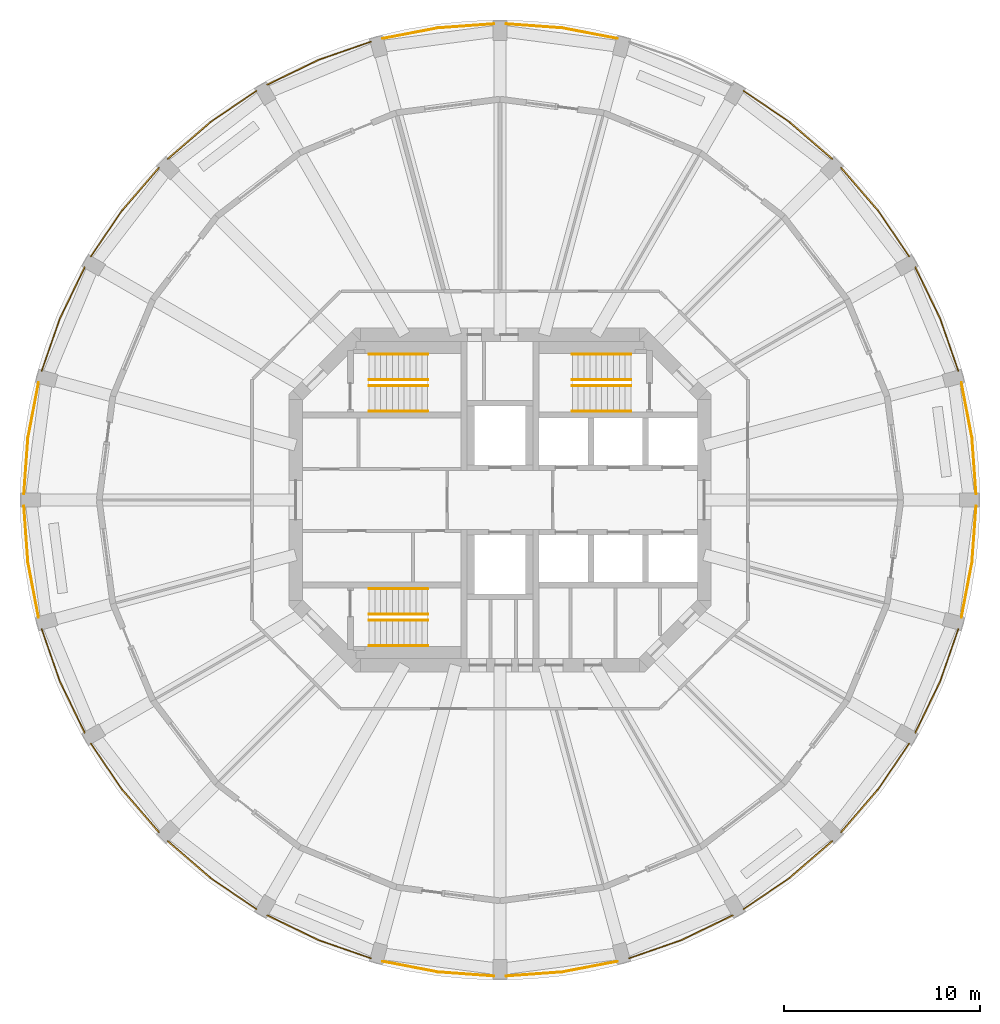
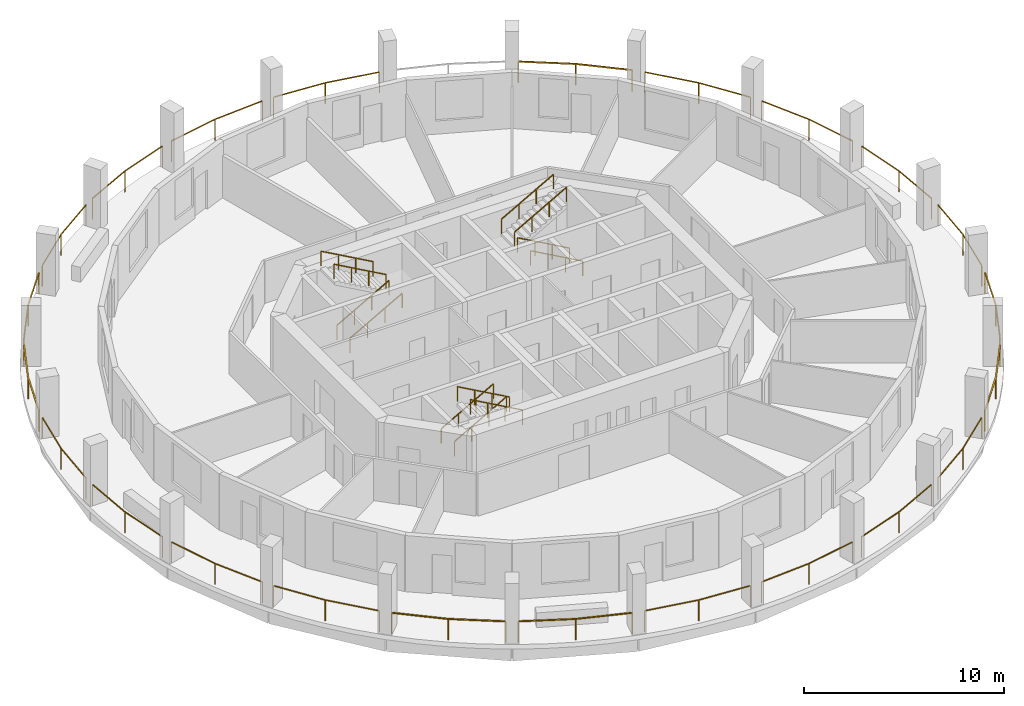
# One storey, part 8 of 9: 35 railings.
"""IFC4 building model written with IfcOpenShell, lengths in metres."""

from ifc_helpers import new_model, si_unit, direction, frame, origin, origin_2d, place, context, subcontext, project, spatial, rectangle, extrude, material, type_object, element, save


model = new_model("IFC4")

# Units and contexts
model_context = context("Model", 3, precision=1e-05, world=origin(), true_north=direction((0.0, 1.0)))
body_context = subcontext(model_context, "Body", "Model", "MODEL_VIEW")
ifc_project = project(units=[si_unit("LENGTHUNIT", "METRE"), si_unit("AREAUNIT", "SQUARE_METRE"), si_unit("VOLUMEUNIT", "CUBIC_METRE"), si_unit("PLANEANGLEUNIT", "RADIAN"), si_unit("MASSUNIT", "GRAM", prefix="KILO")], contexts=[model_context])

# Site, building, storey
site_placement = place(None, origin())
site = spatial("IfcSite", under=ifc_project, at=site_placement, CompositionType="ELEMENT")
building_placement = place(site_placement, origin())
building = spatial("IfcBuilding", under=site, at=building_placement, Name="Torre Triforio", CompositionType="ELEMENT")
storey_placement = place(building_placement, frame((0.0, 0.0, 233.5)))
storey = spatial("IfcBuildingStorey", under=building, at=storey_placement, Name="L53", CompositionType="ELEMENT", Elevation=233.5)

# Railings
ifc_material = material(Name="Stainless steel AISI 316", Category="steel")
railing_type_1 = type_object("IfcRailingType", Name="HANDRAIL 920", PredefinedType="HANDRAIL", material=ifc_material)
for number, where, name in (
    (1, (-6.699951171875, 4.550048828125, 0.168212890625), "Handrail ST1"),
    (2, (-6.699951171875, 5.85009765625, 0.168212890625), "Handrail ST1"),
):
    element("IfcRailing", number, at=place(storey_placement, frame(where)), inside=storey, type_object=railing_type_1, Name=name, PredefinedType="HANDRAIL", context=body_context, shape_type="SweptSolid", body=[
        extrude(rectangle(XDim=0.048095703125, YDim=0.048095703125, at=origin_2d()), frame((0.0, 0.0, 0.89599609375), z_axis=(0.872272294576, 0.0, 0.489020494575), x_axis=(0.0, 1.0, 0.0)), (0.0, 0.0, 1.0), 3.439208984375),
        extrude(rectangle(XDim=0.0419921875, YDim=0.0419921875, at=origin_2d()), origin(), (0.0, 0.0, 1.0), 0.871826171875),
        extrude(rectangle(XDim=0.0419921875, YDim=0.0419921875, at=origin_2d()), frame((1.0, 0.0, 0.560546875)), (0.0, 0.0, 1.0), 0.871826171875),
        extrude(rectangle(XDim=0.0419921875, YDim=0.0419921875, at=origin_2d()), frame((2.0, 0.0, 1.121337890625)), (0.0, 0.0, 1.0), 0.871826171875),
        extrude(rectangle(XDim=0.0419921875, YDim=0.0419921875, at=origin_2d()), frame((3.0, 0.0, 1.681884765625)), (0.0, 0.0, 1.0), 0.871826171875),
    ])
for number, where, name in (
    (3, (-3.699951171875, 7.449951171875, 2.01806640625), "Handrail ST1"),
    (4, (-3.699951171875, 6.14990234375, 2.01806640625), "Handrail ST1"),
    (5, (6.699951171875, 4.550048828125, 0.168212890625), "Handrail ST2"),
    (6, (6.699951171875, 5.85009765625, 0.168212890625), "Handrail ST2"),
):
    element("IfcRailing", number, at=place(storey_placement, frame(where)), inside=storey, type_object=railing_type_1, Name=name, PredefinedType="HANDRAIL", context=body_context, shape_type="SweptSolid", body=[
        extrude(rectangle(XDim=0.048095703125, YDim=0.048095703125, at=origin_2d()), frame((0.0, 0.0, 0.89599609375), z_axis=(-0.872272294576, 0.0, 0.489020494575), x_axis=(0.0, -1.0, 0.0)), (0.0, 0.0, 1.0), 3.439208984375),
        extrude(rectangle(XDim=0.0419921875, YDim=0.0419921875, at=origin_2d()), origin(), (0.0, 0.0, 1.0), 0.871826171875),
        extrude(rectangle(XDim=0.0419921875, YDim=0.0419921875, at=origin_2d()), frame((-1.0, 0.0, 0.560546875)), (0.0, 0.0, 1.0), 0.871826171875),
        extrude(rectangle(XDim=0.0419921875, YDim=0.0419921875, at=origin_2d()), frame((-2.0, 0.0, 1.121337890625)), (0.0, 0.0, 1.0), 0.871826171875),
        extrude(rectangle(XDim=0.0419921875, YDim=0.0419921875, at=origin_2d()), frame((-3.0, 0.0, 1.681884765625)), (0.0, 0.0, 1.0), 0.871826171875),
    ])
for number, where, name in (
    (7, (3.699951171875, 7.449951171875, 2.01806640625), "Handrail ST2"),
    (8, (3.699951171875, 6.14990234375, 2.01806640625), "Handrail ST2"),
    (9, (-6.699951171875, -4.550048828125, 0.168212890625), "Handrail ST3"),
    (10, (-6.699951171875, -5.85009765625, 0.168212890625), "Handrail ST3"),
):
    element("IfcRailing", number, at=place(storey_placement, frame(where)), inside=storey, type_object=railing_type_1, Name=name, PredefinedType="HANDRAIL", context=body_context, shape_type="SweptSolid", body=[
        extrude(rectangle(XDim=0.048095703125, YDim=0.048095703125, at=origin_2d()), frame((0.0, 0.0, 0.89599609375), z_axis=(0.872272294576, 0.0, 0.489020494575), x_axis=(0.0, 1.0, 0.0)), (0.0, 0.0, 1.0), 3.439208984375),
        extrude(rectangle(XDim=0.0419921875, YDim=0.0419921875, at=origin_2d()), origin(), (0.0, 0.0, 1.0), 0.871826171875),
        extrude(rectangle(XDim=0.0419921875, YDim=0.0419921875, at=origin_2d()), frame((1.0, 0.0, 0.560546875)), (0.0, 0.0, 1.0), 0.871826171875),
        extrude(rectangle(XDim=0.0419921875, YDim=0.0419921875, at=origin_2d()), frame((2.0, 0.0, 1.121337890625)), (0.0, 0.0, 1.0), 0.871826171875),
        extrude(rectangle(XDim=0.0419921875, YDim=0.0419921875, at=origin_2d()), frame((3.0, 0.0, 1.681884765625)), (0.0, 0.0, 1.0), 0.871826171875),
    ])
for number, where, name in (
    (11, (-3.699951171875, -7.449951171875, 2.01806640625), "Handrail ST3"),
    (12, (-3.699951171875, -6.14990234375, 2.01806640625), "Handrail ST3"),
):
    element("IfcRailing", number, at=place(storey_placement, frame(where)), inside=storey, type_object=railing_type_1, Name=name, PredefinedType="HANDRAIL", context=body_context, shape_type="SweptSolid", body=[
        extrude(rectangle(XDim=0.048095703125, YDim=0.048095703125, at=origin_2d()), frame((0.0, 0.0, 0.89599609375), z_axis=(-0.872272294576, 0.0, 0.489020494575), x_axis=(0.0, -1.0, 0.0)), (0.0, 0.0, 1.0), 3.439208984375),
        extrude(rectangle(XDim=0.0419921875, YDim=0.0419921875, at=origin_2d()), origin(), (0.0, 0.0, 1.0), 0.871826171875),
        extrude(rectangle(XDim=0.0419921875, YDim=0.0419921875, at=origin_2d()), frame((-1.0, 0.0, 0.560546875)), (0.0, 0.0, 1.0), 0.871826171875),
        extrude(rectangle(XDim=0.0419921875, YDim=0.0419921875, at=origin_2d()), frame((-2.0, 0.0, 1.121337890625)), (0.0, 0.0, 1.0), 0.871826171875),
        extrude(rectangle(XDim=0.0419921875, YDim=0.0419921875, at=origin_2d()), frame((-3.0, 0.0, 1.681884765625)), (0.0, 0.0, 1.0), 0.871826171875),
    ])
railing_type_2 = type_object("IfcRailingType", Name="Loggia guard 1300", PredefinedType="GUARDRAIL", material=ifc_material)
railing_1_placement = place(storey_placement, frame((24.35009765625, 0.320068359375, 0.0)))
element("IfcRailing", 13, at=railing_1_placement, inside=storey, type_object=railing_type_2, Name="Loggia guard L53 bay 01", PredefinedType="GUARDRAIL", context=body_context, shape_type="SweptSolid", body=[
    extrude(rectangle(XDim=0.050048828125, YDim=0.050048828125, at=origin_2d()), frame((0.0, 0.0, 1.27490234375), z_axis=(-0.072754488601, 0.997349880628, 0.0), x_axis=(-0.997349880628, -0.072754488601, 0.0)), (0.0, 0.0, 1.0), 2.86572265625),
    extrude(rectangle(XDim=0.050048828125, YDim=0.050048828125, at=origin_2d()), frame((-0.20849609375, 2.858154296875, 1.27490234375), z_axis=(-0.187918414449, 0.982184641252, 0.0), x_axis=(-0.982184641252, -0.187918414449, 0.0)), (0.0, 0.0, 1.0), 2.865966796875),
    extrude(rectangle(XDim=0.0400390625, YDim=0.0400390625, at=origin_2d()), origin(), (0.0, 0.0, 1.0), 1.25),
    extrude(rectangle(XDim=0.0400390625, YDim=0.0400390625, at=origin_2d()), frame((-0.20849609375, 2.858154296875, 0.0)), (0.0, 0.0, 1.0), 1.25),
    extrude(rectangle(XDim=0.0400390625, YDim=0.0400390625, at=origin_2d()), frame((-0.7470703125, 5.673095703125, 0.0)), (0.0, 0.0, 1.0), 1.25),
])
railing_2_placement = place(storey_placement, frame((23.4375, 6.611328125, 0.0)))
element("IfcRailing", 14, at=railing_2_placement, inside=storey, type_object=railing_type_2, Name="Loggia guard L53 bay 02", PredefinedType="GUARDRAIL", context=body_context, shape_type="SweptSolid", body=[
    extrude(rectangle(XDim=0.050048828125, YDim=0.050048828125, at=origin_2d()), frame((0.0, 0.0, 1.27490234375), z_axis=(-0.328315763022, 0.944568028123, 0.0), x_axis=(-0.944568028123, -0.328315763022, 0.0)), (0.0, 0.0, 1.0), 2.865966796875),
    extrude(rectangle(XDim=0.050048828125, YDim=0.050048828125, at=origin_2d()), frame((-0.94091796875, 2.70703125, 1.27490234375), z_axis=(-0.435727917358, 0.900078431046, 0.0), x_axis=(-0.900078431046, -0.435727917358, 0.0)), (0.0, 0.0, 1.0), 2.865966796875),
    extrude(rectangle(XDim=0.0400390625, YDim=0.0400390625, at=origin_2d()), origin(), (0.0, 0.0, 1.0), 1.25),
    extrude(rectangle(XDim=0.0400390625, YDim=0.0400390625, at=origin_2d()), frame((-0.94091796875, 2.70703125, 0.0)), (0.0, 0.0, 1.0), 1.25),
    extrude(rectangle(XDim=0.0400390625, YDim=0.0400390625, at=origin_2d()), frame((-2.189697265625, 5.28662109375, 0.0)), (0.0, 0.0, 1.0), 1.25),
])
railing_3_placement = place(storey_placement, frame((20.927734375, 12.4521484375, 0.0)))
element("IfcRailing", 15, at=railing_3_placement, inside=storey, type_object=railing_type_2, Name="Loggia guard L53 bay 03", PredefinedType="GUARDRAIL", context=body_context, shape_type="SweptSolid", body=[
    extrude(rectangle(XDim=0.050048828125, YDim=0.050048828125, at=origin_2d()), frame((0.0, 0.0, 1.27490234375), z_axis=(-0.561659735558, 0.827368322727, 0.0), x_axis=(-0.827368322727, -0.561659735558, 0.0)), (0.0, 0.0, 1.0), 2.86572265625),
    extrude(rectangle(XDim=0.050048828125, YDim=0.050048828125, at=origin_2d()), frame((-1.609619140625, 2.37109375, 1.27490234375), z_axis=(-0.653823896404, 0.756646755422, 0.0), x_axis=(-0.756646755422, -0.653823896404, 0.0)), (0.0, 0.0, 1.0), 2.865966796875),
    extrude(rectangle(XDim=0.0400390625, YDim=0.0400390625, at=origin_2d()), origin(), (0.0, 0.0, 1.0), 1.25),
    extrude(rectangle(XDim=0.0400390625, YDim=0.0400390625, at=origin_2d()), frame((-1.609619140625, 2.37109375, 0.0)), (0.0, 0.0, 1.0), 1.25),
    extrude(rectangle(XDim=0.0400390625, YDim=0.0400390625, at=origin_2d()), frame((-3.4833984375, 4.53955078125, 0.0)), (0.0, 0.0, 1.0), 1.25),
])
railing_4_placement = place(storey_placement, frame((16.99169921875, 17.4443359375, 0.0)))
element("IfcRailing", 16, at=railing_4_placement, inside=storey, type_object=railing_type_2, Name="Loggia guard L53 bay 04", PredefinedType="GUARDRAIL", context=body_context, shape_type="SweptSolid", body=[
    extrude(rectangle(XDim=0.050048828125, YDim=0.050048828125, at=origin_2d()), frame((0.0, 0.0, 1.27490234375), z_axis=(-0.756646755422, 0.653823896404, 0.0), x_axis=(-0.653823896404, -0.756646755422, 0.0)), (0.0, 0.0, 1.0), 2.865966796875),
    extrude(rectangle(XDim=0.050048828125, YDim=0.050048828125, at=origin_2d()), frame((-2.16845703125, 1.873779296875, 1.27490234375), z_axis=(-0.827368322727, 0.561659735558, 0.0), x_axis=(-0.561659735558, -0.827368322727, 0.0)), (0.0, 0.0, 1.0), 2.86572265625),
    extrude(rectangle(XDim=0.0400390625, YDim=0.0400390625, at=origin_2d()), origin(), (0.0, 0.0, 1.0), 1.25),
    extrude(rectangle(XDim=0.0400390625, YDim=0.0400390625, at=origin_2d()), frame((-2.16845703125, 1.873779296875, 0.0)), (0.0, 0.0, 1.0), 1.25),
    extrude(rectangle(XDim=0.0400390625, YDim=0.0400390625, at=origin_2d()), frame((-4.53955078125, 3.4833984375, 0.0)), (0.0, 0.0, 1.0), 1.25),
])
railing_5_placement = place(storey_placement, frame((5.9931640625, 23.60302734375, 0.0)))
element("IfcRailing", 17, at=railing_5_placement, inside=storey, type_object=railing_type_2, Name="Loggia guard L53 bay 06", PredefinedType="GUARDRAIL", context=body_context, shape_type="SweptSolid", body=[
    extrude(rectangle(XDim=0.050048828125, YDim=0.050048828125, at=origin_2d()), frame((0.0, 0.0, 1.27490234375), z_axis=(-0.982184641252, 0.187918414449, 0.0), x_axis=(-0.187918414449, -0.982184641252, 0.0)), (0.0, 0.0, 1.0), 2.865966796875),
    extrude(rectangle(XDim=0.050048828125, YDim=0.050048828125, at=origin_2d()), frame((-2.81494140625, 0.53857421875, 1.27490234375), z_axis=(-0.997349880628, 0.072754488601, 0.0), x_axis=(-0.072754488601, -0.997349880628, 0.0)), (0.0, 0.0, 1.0), 2.86572265625),
    extrude(rectangle(XDim=0.0400390625, YDim=0.0400390625, at=origin_2d()), origin(), (0.0, 0.0, 1.0), 1.25),
    extrude(rectangle(XDim=0.0400390625, YDim=0.0400390625, at=origin_2d()), frame((-2.81494140625, 0.53857421875, 0.0)), (0.0, 0.0, 1.0), 1.25),
    extrude(rectangle(XDim=0.0400390625, YDim=0.0400390625, at=origin_2d()), frame((-5.673095703125, 0.7470703125, 0.0)), (0.0, 0.0, 1.0), 1.25),
])
railing_6_placement = place(storey_placement, frame((-0.320068359375, 24.35009765625, 0.0)))
element("IfcRailing", 18, at=railing_6_placement, inside=storey, type_object=railing_type_2, Name="Loggia guard L53 bay 07", PredefinedType="GUARDRAIL", context=body_context, shape_type="SweptSolid", body=[
    extrude(rectangle(XDim=0.050048828125, YDim=0.050048828125, at=origin_2d()), frame((0.0, 0.0, 1.27490234375), z_axis=(-0.997349880628, -0.072754488601, 0.0), x_axis=(0.072754488601, -0.997349880628, 0.0)), (0.0, 0.0, 1.0), 2.86572265625),
    extrude(rectangle(XDim=0.050048828125, YDim=0.050048828125, at=origin_2d()), frame((-2.858154296875, -0.20849609375, 1.27490234375), z_axis=(-0.982184641252, -0.187918414449, 0.0), x_axis=(0.187918414449, -0.982184641252, 0.0)), (0.0, 0.0, 1.0), 2.865966796875),
    extrude(rectangle(XDim=0.0400390625, YDim=0.0400390625, at=origin_2d()), origin(), (0.0, 0.0, 1.0), 1.25),
    extrude(rectangle(XDim=0.0400390625, YDim=0.0400390625, at=origin_2d()), frame((-2.858154296875, -0.20849609375, 0.0)), (0.0, 0.0, 1.0), 1.25),
    extrude(rectangle(XDim=0.0400390625, YDim=0.0400390625, at=origin_2d()), frame((-5.673095703125, -0.7470703125, 0.0)), (0.0, 0.0, 1.0), 1.25),
])
railing_7_placement = place(storey_placement, frame((-6.611328125, 23.4375, 0.0)))
element("IfcRailing", 19, at=railing_7_placement, inside=storey, type_object=railing_type_2, Name="Loggia guard L53 bay 08", PredefinedType="GUARDRAIL", context=body_context, shape_type="SweptSolid", body=[
    extrude(rectangle(XDim=0.050048828125, YDim=0.050048828125, at=origin_2d()), frame((0.0, 0.0, 1.27490234375), z_axis=(-0.944568028123, -0.328315763022, 0.0), x_axis=(0.328315763022, -0.944568028123, 0.0)), (0.0, 0.0, 1.0), 2.865966796875),
    extrude(rectangle(XDim=0.050048828125, YDim=0.050048828125, at=origin_2d()), frame((-2.70703125, -0.94091796875, 1.27490234375), z_axis=(-0.900078431046, -0.435727917358, 0.0), x_axis=(0.435727917358, -0.900078431046, 0.0)), (0.0, 0.0, 1.0), 2.865966796875),
    extrude(rectangle(XDim=0.0400390625, YDim=0.0400390625, at=origin_2d()), origin(), (0.0, 0.0, 1.0), 1.25),
    extrude(rectangle(XDim=0.0400390625, YDim=0.0400390625, at=origin_2d()), frame((-2.70703125, -0.94091796875, 0.0)), (0.0, 0.0, 1.0), 1.25),
    extrude(rectangle(XDim=0.0400390625, YDim=0.0400390625, at=origin_2d()), frame((-5.28662109375, -2.189697265625, 0.0)), (0.0, 0.0, 1.0), 1.25),
])
railing_8_placement = place(storey_placement, frame((-12.4521484375, 20.927734375, 0.0)))
element("IfcRailing", 20, at=railing_8_placement, inside=storey, type_object=railing_type_2, Name="Loggia guard L53 bay 09", PredefinedType="GUARDRAIL", context=body_context, shape_type="SweptSolid", body=[
    extrude(rectangle(XDim=0.050048828125, YDim=0.050048828125, at=origin_2d()), frame((0.0, 0.0, 1.27490234375), z_axis=(-0.827368322727, -0.561659735558, 0.0), x_axis=(0.561659735558, -0.827368322727, 0.0)), (0.0, 0.0, 1.0), 2.86572265625),
    extrude(rectangle(XDim=0.050048828125, YDim=0.050048828125, at=origin_2d()), frame((-2.37109375, -1.609619140625, 1.27490234375), z_axis=(-0.756646755422, -0.653823896404, 0.0), x_axis=(0.653823896404, -0.756646755422, 0.0)), (0.0, 0.0, 1.0), 2.865966796875),
    extrude(rectangle(XDim=0.0400390625, YDim=0.0400390625, at=origin_2d()), origin(), (0.0, 0.0, 1.0), 1.25),
    extrude(rectangle(XDim=0.0400390625, YDim=0.0400390625, at=origin_2d()), frame((-2.37109375, -1.609619140625, 0.0)), (0.0, 0.0, 1.0), 1.25),
    extrude(rectangle(XDim=0.0400390625, YDim=0.0400390625, at=origin_2d()), frame((-4.53955078125, -3.4833984375, 0.0)), (0.0, 0.0, 1.0), 1.25),
])
railing_9_placement = place(storey_placement, frame((-17.4443359375, 16.99169921875, 0.0)))
element("IfcRailing", 21, at=railing_9_placement, inside=storey, type_object=railing_type_2, Name="Loggia guard L53 bay 10", PredefinedType="GUARDRAIL", context=body_context, shape_type="SweptSolid", body=[
    extrude(rectangle(XDim=0.050048828125, YDim=0.050048828125, at=origin_2d()), frame((0.0, 0.0, 1.27490234375), z_axis=(-0.653823896404, -0.756646755422, 0.0), x_axis=(0.756646755422, -0.653823896404, 0.0)), (0.0, 0.0, 1.0), 2.865966796875),
    extrude(rectangle(XDim=0.050048828125, YDim=0.050048828125, at=origin_2d()), frame((-1.873779296875, -2.16845703125, 1.27490234375), z_axis=(-0.561659735558, -0.827368322727, 0.0), x_axis=(0.827368322727, -0.561659735558, 0.0)), (0.0, 0.0, 1.0), 2.86572265625),
    extrude(rectangle(XDim=0.0400390625, YDim=0.0400390625, at=origin_2d()), origin(), (0.0, 0.0, 1.0), 1.25),
    extrude(rectangle(XDim=0.0400390625, YDim=0.0400390625, at=origin_2d()), frame((-1.873779296875, -2.16845703125, 0.0)), (0.0, 0.0, 1.0), 1.25),
    extrude(rectangle(XDim=0.0400390625, YDim=0.0400390625, at=origin_2d()), frame((-3.4833984375, -4.53955078125, 0.0)), (0.0, 0.0, 1.0), 1.25),
])
railing_10_placement = place(storey_placement, frame((-21.247802734375, 11.89794921875, 0.0)))
element("IfcRailing", 22, at=railing_10_placement, inside=storey, type_object=railing_type_2, Name="Loggia guard L53 bay 11", PredefinedType="GUARDRAIL", context=body_context, shape_type="SweptSolid", body=[
    extrude(rectangle(XDim=0.050048828125, YDim=0.050048828125, at=origin_2d()), frame((0.0, 0.0, 1.27490234375), z_axis=(-0.435727917358, -0.900078431046, 0.0), x_axis=(0.900078431046, -0.435727917358, 0.0)), (0.0, 0.0, 1.0), 2.865966796875),
    extrude(rectangle(XDim=0.050048828125, YDim=0.050048828125, at=origin_2d()), frame((-1.248779296875, -2.57958984375, 1.27490234375), z_axis=(-0.328315763022, -0.944568028123, 0.0), x_axis=(0.944568028123, -0.328315763022, 0.0)), (0.0, 0.0, 1.0), 2.865966796875),
    extrude(rectangle(XDim=0.0400390625, YDim=0.0400390625, at=origin_2d()), origin(), (0.0, 0.0, 1.0), 1.25),
    extrude(rectangle(XDim=0.0400390625, YDim=0.0400390625, at=origin_2d()), frame((-1.248779296875, -2.57958984375, 0.0)), (0.0, 0.0, 1.0), 1.25),
    extrude(rectangle(XDim=0.0400390625, YDim=0.0400390625, at=origin_2d()), frame((-2.189697265625, -5.28662109375, 0.0)), (0.0, 0.0, 1.0), 1.25),
])
railing_11_placement = place(storey_placement, frame((-23.60302734375, 5.9931640625, 0.0)))
element("IfcRailing", 23, at=railing_11_placement, inside=storey, type_object=railing_type_2, Name="Loggia guard L53 bay 12", PredefinedType="GUARDRAIL", context=body_context, shape_type="SweptSolid", body=[
    extrude(rectangle(XDim=0.050048828125, YDim=0.050048828125, at=origin_2d()), frame((0.0, 0.0, 1.27490234375), z_axis=(-0.187918414449, -0.982184641252, 0.0), x_axis=(0.982184641252, -0.187918414449, 0.0)), (0.0, 0.0, 1.0), 2.865966796875),
    extrude(rectangle(XDim=0.050048828125, YDim=0.050048828125, at=origin_2d()), frame((-0.53857421875, -2.81494140625, 1.27490234375), z_axis=(-0.072754488601, -0.997349880628, 0.0), x_axis=(0.997349880628, -0.072754488601, 0.0)), (0.0, 0.0, 1.0), 2.86572265625),
    extrude(rectangle(XDim=0.0400390625, YDim=0.0400390625, at=origin_2d()), origin(), (0.0, 0.0, 1.0), 1.25),
    extrude(rectangle(XDim=0.0400390625, YDim=0.0400390625, at=origin_2d()), frame((-0.53857421875, -2.81494140625, 0.0)), (0.0, 0.0, 1.0), 1.25),
    extrude(rectangle(XDim=0.0400390625, YDim=0.0400390625, at=origin_2d()), frame((-0.7470703125, -5.673095703125, 0.0)), (0.0, 0.0, 1.0), 1.25),
])
railing_12_placement = place(storey_placement, frame((-24.35009765625, -0.320068359375, 0.0)))
element("IfcRailing", 24, at=railing_12_placement, inside=storey, type_object=railing_type_2, Name="Loggia guard L53 bay 13", PredefinedType="GUARDRAIL", context=body_context, shape_type="SweptSolid", body=[
    extrude(rectangle(XDim=0.050048828125, YDim=0.050048828125, at=origin_2d()), frame((0.0, 0.0, 1.27490234375), z_axis=(0.072754488601, -0.997349880628, 0.0), x_axis=(0.997349880628, 0.072754488601, 0.0)), (0.0, 0.0, 1.0), 2.86572265625),
    extrude(rectangle(XDim=0.050048828125, YDim=0.050048828125, at=origin_2d()), frame((0.20849609375, -2.858154296875, 1.27490234375), z_axis=(0.187918414449, -0.982184641252, 0.0), x_axis=(0.982184641252, 0.187918414449, 0.0)), (0.0, 0.0, 1.0), 2.865966796875),
    extrude(rectangle(XDim=0.0400390625, YDim=0.0400390625, at=origin_2d()), origin(), (0.0, 0.0, 1.0), 1.25),
    extrude(rectangle(XDim=0.0400390625, YDim=0.0400390625, at=origin_2d()), frame((0.20849609375, -2.858154296875, 0.0)), (0.0, 0.0, 1.0), 1.25),
    extrude(rectangle(XDim=0.0400390625, YDim=0.0400390625, at=origin_2d()), frame((0.7470703125, -5.673095703125, 0.0)), (0.0, 0.0, 1.0), 1.25),
])
railing_13_placement = place(storey_placement, frame((-23.4375, -6.611328125, 0.0)))
element("IfcRailing", 25, at=railing_13_placement, inside=storey, type_object=railing_type_2, Name="Loggia guard L53 bay 14", PredefinedType="GUARDRAIL", context=body_context, shape_type="SweptSolid", body=[
    extrude(rectangle(XDim=0.050048828125, YDim=0.050048828125, at=origin_2d()), frame((0.0, 0.0, 1.27490234375), z_axis=(0.328315763022, -0.944568028123, 0.0), x_axis=(0.944568028123, 0.328315763022, 0.0)), (0.0, 0.0, 1.0), 2.865966796875),
    extrude(rectangle(XDim=0.050048828125, YDim=0.050048828125, at=origin_2d()), frame((0.94091796875, -2.70703125, 1.27490234375), z_axis=(0.435727917358, -0.900078431046, 0.0), x_axis=(0.900078431046, 0.435727917358, 0.0)), (0.0, 0.0, 1.0), 2.865966796875),
    extrude(rectangle(XDim=0.0400390625, YDim=0.0400390625, at=origin_2d()), origin(), (0.0, 0.0, 1.0), 1.25),
    extrude(rectangle(XDim=0.0400390625, YDim=0.0400390625, at=origin_2d()), frame((0.94091796875, -2.70703125, 0.0)), (0.0, 0.0, 1.0), 1.25),
    extrude(rectangle(XDim=0.0400390625, YDim=0.0400390625, at=origin_2d()), frame((2.189697265625, -5.28662109375, 0.0)), (0.0, 0.0, 1.0), 1.25),
])
railing_14_placement = place(storey_placement, frame((-20.927734375, -12.4521484375, 0.0)))
element("IfcRailing", 26, at=railing_14_placement, inside=storey, type_object=railing_type_2, Name="Loggia guard L53 bay 15", PredefinedType="GUARDRAIL", context=body_context, shape_type="SweptSolid", body=[
    extrude(rectangle(XDim=0.050048828125, YDim=0.050048828125, at=origin_2d()), frame((0.0, 0.0, 1.27490234375), z_axis=(0.561659735558, -0.827368322727, 0.0), x_axis=(0.827368322727, 0.561659735558, 0.0)), (0.0, 0.0, 1.0), 2.86572265625),
    extrude(rectangle(XDim=0.050048828125, YDim=0.050048828125, at=origin_2d()), frame((1.609619140625, -2.37109375, 1.27490234375), z_axis=(0.653823896404, -0.756646755422, 0.0), x_axis=(0.756646755422, 0.653823896404, 0.0)), (0.0, 0.0, 1.0), 2.865966796875),
    extrude(rectangle(XDim=0.0400390625, YDim=0.0400390625, at=origin_2d()), origin(), (0.0, 0.0, 1.0), 1.25),
    extrude(rectangle(XDim=0.0400390625, YDim=0.0400390625, at=origin_2d()), frame((1.609619140625, -2.37109375, 0.0)), (0.0, 0.0, 1.0), 1.25),
    extrude(rectangle(XDim=0.0400390625, YDim=0.0400390625, at=origin_2d()), frame((3.4833984375, -4.53955078125, 0.0)), (0.0, 0.0, 1.0), 1.25),
])
railing_15_placement = place(storey_placement, frame((-16.99169921875, -17.4443359375, 0.0)))
element("IfcRailing", 27, at=railing_15_placement, inside=storey, type_object=railing_type_2, Name="Loggia guard L53 bay 16", PredefinedType="GUARDRAIL", context=body_context, shape_type="SweptSolid", body=[
    extrude(rectangle(XDim=0.050048828125, YDim=0.050048828125, at=origin_2d()), frame((0.0, 0.0, 1.27490234375), z_axis=(0.756646755422, -0.653823896404, 0.0), x_axis=(0.653823896404, 0.756646755422, 0.0)), (0.0, 0.0, 1.0), 2.865966796875),
    extrude(rectangle(XDim=0.050048828125, YDim=0.050048828125, at=origin_2d()), frame((2.16845703125, -1.873779296875, 1.27490234375), z_axis=(0.827368322727, -0.561659735558, 0.0), x_axis=(0.561659735558, 0.827368322727, 0.0)), (0.0, 0.0, 1.0), 2.86572265625),
    extrude(rectangle(XDim=0.0400390625, YDim=0.0400390625, at=origin_2d()), origin(), (0.0, 0.0, 1.0), 1.25),
    extrude(rectangle(XDim=0.0400390625, YDim=0.0400390625, at=origin_2d()), frame((2.16845703125, -1.873779296875, 0.0)), (0.0, 0.0, 1.0), 1.25),
    extrude(rectangle(XDim=0.0400390625, YDim=0.0400390625, at=origin_2d()), frame((4.53955078125, -3.4833984375, 0.0)), (0.0, 0.0, 1.0), 1.25),
])
railing_16_placement = place(storey_placement, frame((-11.89794921875, -21.247802734375, 0.0)))
element("IfcRailing", 28, at=railing_16_placement, inside=storey, type_object=railing_type_2, Name="Loggia guard L53 bay 17", PredefinedType="GUARDRAIL", context=body_context, shape_type="SweptSolid", body=[
    extrude(rectangle(XDim=0.050048828125, YDim=0.050048828125, at=origin_2d()), frame((0.0, 0.0, 1.27490234375), z_axis=(0.900078431046, -0.435727917358, 0.0), x_axis=(0.435727917358, 0.900078431046, 0.0)), (0.0, 0.0, 1.0), 2.865966796875),
    extrude(rectangle(XDim=0.050048828125, YDim=0.050048828125, at=origin_2d()), frame((2.57958984375, -1.248779296875, 1.27490234375), z_axis=(0.944568028123, -0.328315763022, 0.0), x_axis=(0.328315763022, 0.944568028123, 0.0)), (0.0, 0.0, 1.0), 2.865966796875),
    extrude(rectangle(XDim=0.0400390625, YDim=0.0400390625, at=origin_2d()), origin(), (0.0, 0.0, 1.0), 1.25),
    extrude(rectangle(XDim=0.0400390625, YDim=0.0400390625, at=origin_2d()), frame((2.57958984375, -1.248779296875, 0.0)), (0.0, 0.0, 1.0), 1.25),
    extrude(rectangle(XDim=0.0400390625, YDim=0.0400390625, at=origin_2d()), frame((5.28662109375, -2.189697265625, 0.0)), (0.0, 0.0, 1.0), 1.25),
])
railing_17_placement = place(storey_placement, frame((-5.9931640625, -23.60302734375, 0.0)))
element("IfcRailing", 29, at=railing_17_placement, inside=storey, type_object=railing_type_2, Name="Loggia guard L53 bay 18", PredefinedType="GUARDRAIL", context=body_context, shape_type="SweptSolid", body=[
    extrude(rectangle(XDim=0.050048828125, YDim=0.050048828125, at=origin_2d()), frame((0.0, 0.0, 1.27490234375), z_axis=(0.982184641252, -0.187918414449, 0.0), x_axis=(0.187918414449, 0.982184641252, 0.0)), (0.0, 0.0, 1.0), 2.865966796875),
    extrude(rectangle(XDim=0.050048828125, YDim=0.050048828125, at=origin_2d()), frame((2.81494140625, -0.53857421875, 1.27490234375), z_axis=(0.997349880628, -0.072754488601, 0.0), x_axis=(0.072754488601, 0.997349880628, 0.0)), (0.0, 0.0, 1.0), 2.86572265625),
    extrude(rectangle(XDim=0.0400390625, YDim=0.0400390625, at=origin_2d()), origin(), (0.0, 0.0, 1.0), 1.25),
    extrude(rectangle(XDim=0.0400390625, YDim=0.0400390625, at=origin_2d()), frame((2.81494140625, -0.53857421875, 0.0)), (0.0, 0.0, 1.0), 1.25),
    extrude(rectangle(XDim=0.0400390625, YDim=0.0400390625, at=origin_2d()), frame((5.673095703125, -0.7470703125, 0.0)), (0.0, 0.0, 1.0), 1.25),
])
railing_18_placement = place(storey_placement, frame((0.320068359375, -24.35009765625, 0.0)))
element("IfcRailing", 30, at=railing_18_placement, inside=storey, type_object=railing_type_2, Name="Loggia guard L53 bay 19", PredefinedType="GUARDRAIL", context=body_context, shape_type="SweptSolid", body=[
    extrude(rectangle(XDim=0.050048828125, YDim=0.050048828125, at=origin_2d()), frame((0.0, 0.0, 1.27490234375), z_axis=(0.997349880628, 0.072754488601, 0.0), x_axis=(-0.072754488601, 0.997349880628, 0.0)), (0.0, 0.0, 1.0), 2.86572265625),
    extrude(rectangle(XDim=0.050048828125, YDim=0.050048828125, at=origin_2d()), frame((2.858154296875, 0.20849609375, 1.27490234375), z_axis=(0.982184641252, 0.187918414449, 0.0), x_axis=(-0.187918414449, 0.982184641252, 0.0)), (0.0, 0.0, 1.0), 2.865966796875),
    extrude(rectangle(XDim=0.0400390625, YDim=0.0400390625, at=origin_2d()), origin(), (0.0, 0.0, 1.0), 1.25),
    extrude(rectangle(XDim=0.0400390625, YDim=0.0400390625, at=origin_2d()), frame((2.858154296875, 0.20849609375, 0.0)), (0.0, 0.0, 1.0), 1.25),
    extrude(rectangle(XDim=0.0400390625, YDim=0.0400390625, at=origin_2d()), frame((5.673095703125, 0.7470703125, 0.0)), (0.0, 0.0, 1.0), 1.25),
])
railing_19_placement = place(storey_placement, frame((6.611328125, -23.4375, 0.0)))
element("IfcRailing", 31, at=railing_19_placement, inside=storey, type_object=railing_type_2, Name="Loggia guard L53 bay 20", PredefinedType="GUARDRAIL", context=body_context, shape_type="SweptSolid", body=[
    extrude(rectangle(XDim=0.050048828125, YDim=0.050048828125, at=origin_2d()), frame((0.0, 0.0, 1.27490234375), z_axis=(0.944568028123, 0.328315763022, 0.0), x_axis=(-0.328315763022, 0.944568028123, 0.0)), (0.0, 0.0, 1.0), 2.865966796875),
    extrude(rectangle(XDim=0.050048828125, YDim=0.050048828125, at=origin_2d()), frame((2.70703125, 0.94091796875, 1.27490234375), z_axis=(0.900078431046, 0.435727917358, 0.0), x_axis=(-0.435727917358, 0.900078431046, 0.0)), (0.0, 0.0, 1.0), 2.865966796875),
    extrude(rectangle(XDim=0.0400390625, YDim=0.0400390625, at=origin_2d()), origin(), (0.0, 0.0, 1.0), 1.25),
    extrude(rectangle(XDim=0.0400390625, YDim=0.0400390625, at=origin_2d()), frame((2.70703125, 0.94091796875, 0.0)), (0.0, 0.0, 1.0), 1.25),
    extrude(rectangle(XDim=0.0400390625, YDim=0.0400390625, at=origin_2d()), frame((5.28662109375, 2.189697265625, 0.0)), (0.0, 0.0, 1.0), 1.25),
])
railing_20_placement = place(storey_placement, frame((12.4521484375, -20.927734375, 0.0)))
element("IfcRailing", 32, at=railing_20_placement, inside=storey, type_object=railing_type_2, Name="Loggia guard L53 bay 21", PredefinedType="GUARDRAIL", context=body_context, shape_type="SweptSolid", body=[
    extrude(rectangle(XDim=0.050048828125, YDim=0.050048828125, at=origin_2d()), frame((0.0, 0.0, 1.27490234375), z_axis=(0.827368322727, 0.561659735558, 0.0), x_axis=(-0.561659735558, 0.827368322727, 0.0)), (0.0, 0.0, 1.0), 2.86572265625),
    extrude(rectangle(XDim=0.050048828125, YDim=0.050048828125, at=origin_2d()), frame((2.37109375, 1.609619140625, 1.27490234375), z_axis=(0.756646755422, 0.653823896404, 0.0), x_axis=(-0.653823896404, 0.756646755422, 0.0)), (0.0, 0.0, 1.0), 2.865966796875),
    extrude(rectangle(XDim=0.0400390625, YDim=0.0400390625, at=origin_2d()), origin(), (0.0, 0.0, 1.0), 1.25),
    extrude(rectangle(XDim=0.0400390625, YDim=0.0400390625, at=origin_2d()), frame((2.37109375, 1.609619140625, 0.0)), (0.0, 0.0, 1.0), 1.25),
    extrude(rectangle(XDim=0.0400390625, YDim=0.0400390625, at=origin_2d()), frame((4.53955078125, 3.4833984375, 0.0)), (0.0, 0.0, 1.0), 1.25),
])
railing_21_placement = place(storey_placement, frame((17.4443359375, -16.99169921875, 0.0)))
element("IfcRailing", 33, at=railing_21_placement, inside=storey, type_object=railing_type_2, Name="Loggia guard L53 bay 22", PredefinedType="GUARDRAIL", context=body_context, shape_type="SweptSolid", body=[
    extrude(rectangle(XDim=0.050048828125, YDim=0.050048828125, at=origin_2d()), frame((0.0, 0.0, 1.27490234375), z_axis=(0.653823896404, 0.756646755422, 0.0), x_axis=(-0.756646755422, 0.653823896404, 0.0)), (0.0, 0.0, 1.0), 2.865966796875),
    extrude(rectangle(XDim=0.050048828125, YDim=0.050048828125, at=origin_2d()), frame((1.873779296875, 2.16845703125, 1.27490234375), z_axis=(0.561659735558, 0.827368322727, 0.0), x_axis=(-0.827368322727, 0.561659735558, 0.0)), (0.0, 0.0, 1.0), 2.86572265625),
    extrude(rectangle(XDim=0.0400390625, YDim=0.0400390625, at=origin_2d()), origin(), (0.0, 0.0, 1.0), 1.25),
    extrude(rectangle(XDim=0.0400390625, YDim=0.0400390625, at=origin_2d()), frame((1.873779296875, 2.16845703125, 0.0)), (0.0, 0.0, 1.0), 1.25),
    extrude(rectangle(XDim=0.0400390625, YDim=0.0400390625, at=origin_2d()), frame((3.4833984375, 4.53955078125, 0.0)), (0.0, 0.0, 1.0), 1.25),
])
railing_22_placement = place(storey_placement, frame((21.247802734375, -11.89794921875, 0.0)))
element("IfcRailing", 34, at=railing_22_placement, inside=storey, type_object=railing_type_2, Name="Loggia guard L53 bay 23", PredefinedType="GUARDRAIL", context=body_context, shape_type="SweptSolid", body=[
    extrude(rectangle(XDim=0.050048828125, YDim=0.050048828125, at=origin_2d()), frame((0.0, 0.0, 1.27490234375), z_axis=(0.435727917358, 0.900078431046, 0.0), x_axis=(-0.900078431046, 0.435727917358, 0.0)), (0.0, 0.0, 1.0), 2.865966796875),
    extrude(rectangle(XDim=0.050048828125, YDim=0.050048828125, at=origin_2d()), frame((1.248779296875, 2.57958984375, 1.27490234375), z_axis=(0.328315763022, 0.944568028123, 0.0), x_axis=(-0.944568028123, 0.328315763022, 0.0)), (0.0, 0.0, 1.0), 2.865966796875),
    extrude(rectangle(XDim=0.0400390625, YDim=0.0400390625, at=origin_2d()), origin(), (0.0, 0.0, 1.0), 1.25),
    extrude(rectangle(XDim=0.0400390625, YDim=0.0400390625, at=origin_2d()), frame((1.248779296875, 2.57958984375, 0.0)), (0.0, 0.0, 1.0), 1.25),
    extrude(rectangle(XDim=0.0400390625, YDim=0.0400390625, at=origin_2d()), frame((2.189697265625, 5.28662109375, 0.0)), (0.0, 0.0, 1.0), 1.25),
])
railing_23_placement = place(storey_placement, frame((23.60302734375, -5.9931640625, 0.0)))
element("IfcRailing", 35, at=railing_23_placement, inside=storey, type_object=railing_type_2, Name="Loggia guard L53 bay 24", PredefinedType="GUARDRAIL", context=body_context, shape_type="SweptSolid", body=[
    extrude(rectangle(XDim=0.050048828125, YDim=0.050048828125, at=origin_2d()), frame((0.0, 0.0, 1.27490234375), z_axis=(0.187918414449, 0.982184641252, 0.0), x_axis=(-0.982184641252, 0.187918414449, 0.0)), (0.0, 0.0, 1.0), 2.865966796875),
    extrude(rectangle(XDim=0.050048828125, YDim=0.050048828125, at=origin_2d()), frame((0.53857421875, 2.81494140625, 1.27490234375), z_axis=(0.072754488601, 0.997349880628, 0.0), x_axis=(-0.997349880628, 0.072754488601, 0.0)), (0.0, 0.0, 1.0), 2.86572265625),
    extrude(rectangle(XDim=0.0400390625, YDim=0.0400390625, at=origin_2d()), origin(), (0.0, 0.0, 1.0), 1.25),
    extrude(rectangle(XDim=0.0400390625, YDim=0.0400390625, at=origin_2d()), frame((0.53857421875, 2.81494140625, 0.0)), (0.0, 0.0, 1.0), 1.25),
    extrude(rectangle(XDim=0.0400390625, YDim=0.0400390625, at=origin_2d()), frame((0.7470703125, 5.673095703125, 0.0)), (0.0, 0.0, 1.0), 1.25),
])

save(model, "model.ifc")
